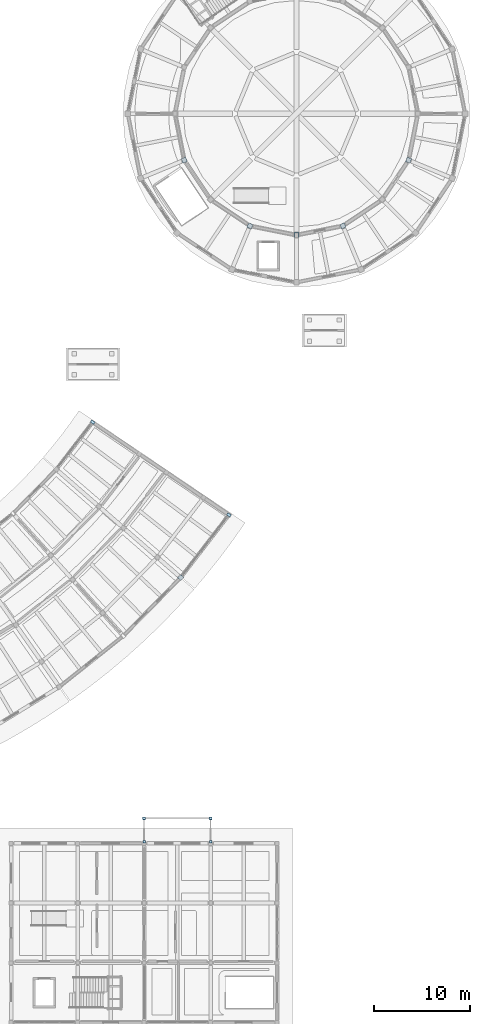
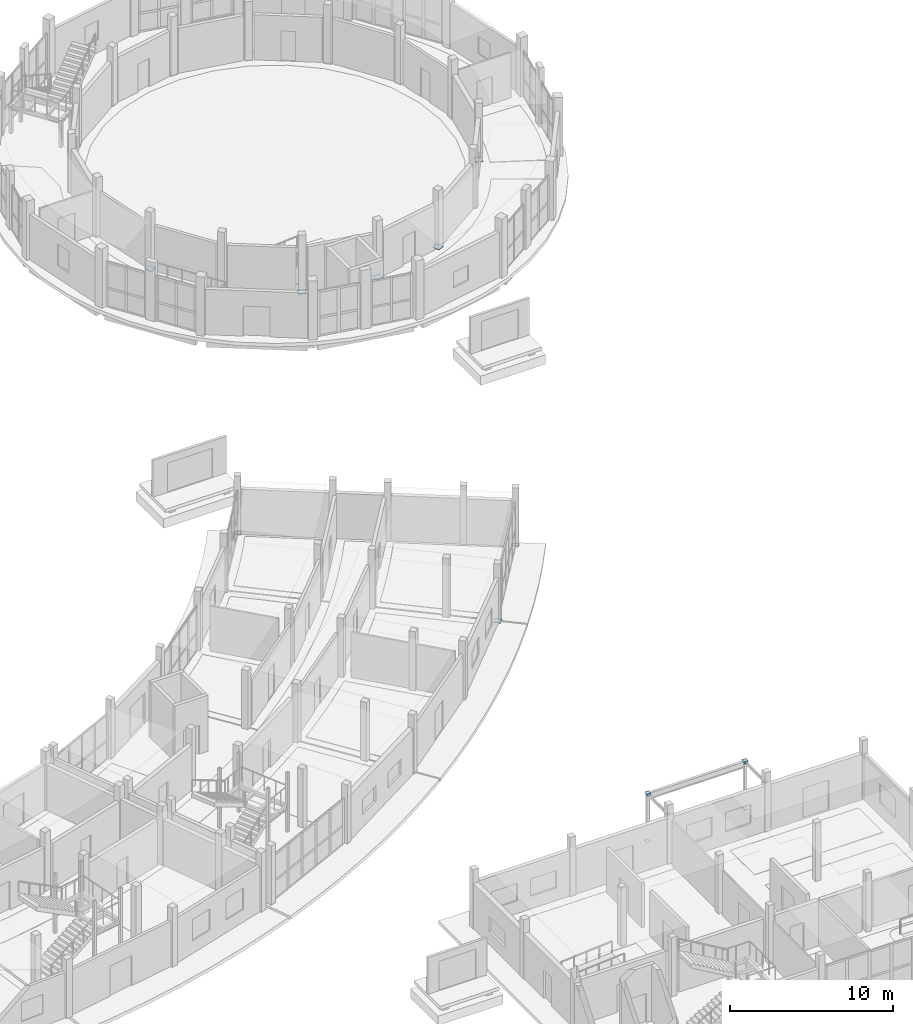
# One storey, part 63 of 92: 16 plates.
"""IFC4 building model written with IfcOpenShell, lengths in metres."""

from ifc_helpers import new_model, si_unit, direction, frame, origin, origin_2d, place, context, subcontext, project, spatial, rectangle, extrude, material, layer, layer_set, type_object, element, save


model = new_model("IFC4")

# Units and contexts
model_context = context("Model", 3, precision=1e-05, world=origin(), true_north=direction((0.0, 1.0)))
body_context = subcontext(model_context, "Body", "Model", "MODEL_VIEW")
ifc_project = project(units=[si_unit("LENGTHUNIT", "METRE"), si_unit("AREAUNIT", "SQUARE_METRE"), si_unit("VOLUMEUNIT", "CUBIC_METRE"), si_unit("PLANEANGLEUNIT", "RADIAN"), si_unit("MASSUNIT", "GRAM", prefix="KILO")], contexts=[model_context])

# Site, building, storey
site_placement = place(None, origin())
site = spatial("IfcSite", under=ifc_project, at=site_placement, CompositionType="ELEMENT")
building_placement = place(site_placement, origin())
building = spatial("IfcBuilding", under=site, at=building_placement, Name="Caldaven Crescent School", CompositionType="ELEMENT")
storey_placement = place(building_placement, origin())
storey = spatial("IfcBuildingStorey", under=building, at=storey_placement, Name="L00", CompositionType="ELEMENT", Elevation=0.0)

# Plates
ifc_material = material(Name="Steel ASTM A572 Grade 50", Category="steel")
ifc_layer_1 = layer(ifc_material, 0.02001953125)
ifc_layer_set_1 = layer_set([ifc_layer_1], Name="Steel ASTM A572 Grade 50")
plate_type_1 = type_object("IfcPlateType", Name="PLT-BAS1", PredefinedType="SHEET", material=ifc_layer_set_1)
plate_1_placement = place(storey_placement, frame((152.5, 85.89990234375, 0.0), z_axis=(0.0, 0.0, 1.0), x_axis=(0.0, -1.0, 0.0)))
element("IfcPlate", 1, at=plate_1_placement, inside=storey, type_object=plate_type_1, Name="PLT-BAS-V1-12", PredefinedType="SHEET", context=body_context, shape_type="SweptSolid", body=[
    extrude(rectangle(XDim=0.52001953125, YDim=0.52001953125, at=origin_2d()), origin(), (0.0, 0.0, 1.0), 0.02001953125),
])
ifc_layer_2 = layer(ifc_material, 0.01806640625)
ifc_layer_set_2 = layer_set([ifc_layer_2], Name="Steel ASTM A572 Grade 50")
plate_type_2 = type_object("IfcPlateType", Name="PLT-BAS2", PredefinedType="SHEET", material=ifc_layer_set_2)
plate_2_placement = place(storey_placement, frame((140.489990234375, 50.37109375, 0.0), z_axis=(0.0, 0.0, 1.0), x_axis=(0.754709580223, -0.656059028991, 0.0)))
element("IfcPlate", 2, at=plate_2_placement, inside=storey, type_object=plate_type_2, Name="PLT-SPL-V4E-04-4", PredefinedType="SHEET", context=body_context, shape_type="SweptSolid", body=[
    extrude(rectangle(XDim=0.43994140625, YDim=0.43994140625, at=origin_2d()), origin(), (0.0, 0.0, 1.0), 0.01806640625),
])
ifc_layer_3 = layer(ifc_material, 0.01806640625)
ifc_layer_set_3 = layer_set([ifc_layer_3], Name="Steel ASTM A572 Grade 50")
plate_type_3 = type_object("IfcPlateType", Name="PLT-BAS3", PredefinedType="SHEET", material=ifc_layer_set_3)
for number, where, z_axis, x_axis, name in (
    (3, (140.859130859375, 93.67822265625, 0.0009765625), (0.0, 0.0, 1.0), (-0.923879532511, -0.382683432365, 0.0), "PLT-BAS-V1-09"),
    (4, (147.67822265625, 86.859130859375, 0.0009765625), (0.0, 0.0, 1.0), (-0.382683432365, -0.923879532511, 0.0), "PLT-BAS-V1-11"),
    (5, (157.32177734375, 86.859130859375, 0.0009765625), (0.0, 0.0, 1.0), (0.382683432365, -0.923879532511, 0.0), "PLT-BAS-V1-13"),
    (6, (164.140869140625, 93.67822265625, 0.0009765625), (0.0, 0.0, 1.0), (0.923879532511, -0.382683432365, 0.0), "PLT-BAS-V1-15"),
):
    element("IfcPlate", number, at=place(storey_placement, frame(where, z_axis=z_axis, x_axis=x_axis)), inside=storey, type_object=plate_type_3, Name=name, PredefinedType="SHEET", context=body_context, shape_type="SweptSolid", body=[
        extrude(rectangle(XDim=0.47998046875, YDim=0.47998046875, at=origin_2d()), origin(), (0.0, 0.0, 1.0), 0.01806640625),
    ])
ifc_layer_4 = layer(ifc_material, 0.02001953125)
ifc_layer_set_4 = layer_set([ifc_layer_4], Name="Steel ASTM A572 Grade 50")
plate_type_4 = type_object("IfcPlateType", Name="PLT-CAP20", PredefinedType="USERDEFINED", material=ifc_layer_set_4)
for number, where, z_axis, x_axis, name in (
    (7, (136.699951171875, 22.97607421875, 3.489990234375), (0.0, 0.0, 1.0), (0.0, 1.0, 0.0), "PLT-CAP-0149-A"),
    (8, (136.699951171875, 25.333984375, 3.489990234375), (0.0, 0.0, 1.0), (0.0, 1.0, 0.0), "PLT-CAP-0150-B"),
    (9, (143.60009765625, 22.97607421875, 3.489990234375), (0.0, 0.0, 1.0), (0.0, 1.0, 0.0), "PLT-CAP-0151-A"),
    (10, (143.60009765625, 25.333984375, 3.489990234375), (0.0, 0.0, 1.0), (0.0, 1.0, 0.0), "PLT-CAP-0152-B"),
):
    element("IfcPlate", number, at=place(storey_placement, frame(where, z_axis=z_axis, x_axis=x_axis)), inside=storey, type_object=plate_type_4, Name=name, ObjectType="CAP_PLATE", PredefinedType="USERDEFINED", context=body_context, shape_type="SweptSolid", body=[
        extrude(rectangle(XDim=0.260009765625, YDim=0.260009765625, at=origin_2d()), origin(), (0.0, 0.0, 1.0), 0.02001953125),
    ])
ifc_layer_5 = layer(ifc_material, 0.02001953125)
ifc_layer_set_5 = layer_set([ifc_layer_5], Name="Steel ASTM A572 Grade 50")
plate_type_5 = type_object("IfcPlateType", Name="PLT-CAP24", PredefinedType="USERDEFINED", material=ifc_layer_set_5)
for number, where, z_axis, x_axis, name in (
    (11, (136.699951171875, 25.39990234375, -0.013916015625), (0.0, 0.0, 1.0), (1.0, 0.0, 0.0), "PLT-CAP-0145-A"),
    (12, (136.699951171875, 25.39990234375, 3.593994140625), (0.0, 0.0, 1.0), (1.0, 0.0, 0.0), "PLT-CAP-0146-B"),
    (13, (143.60009765625, 25.39990234375, -0.013916015625), (0.0, 0.0, 1.0), (1.0, 0.0, 0.0), "PLT-CAP-0147-A"),
    (14, (143.60009765625, 25.39990234375, 3.593994140625), (0.0, 0.0, 1.0), (1.0, 0.0, 0.0), "PLT-CAP-0148-B"),
):
    element("IfcPlate", number, at=place(storey_placement, frame(where, z_axis=z_axis, x_axis=x_axis)), inside=storey, type_object=plate_type_5, Name=name, ObjectType="CAP_PLATE", PredefinedType="USERDEFINED", context=body_context, shape_type="SweptSolid", body=[
        extrude(rectangle(XDim=0.300048828125, YDim=0.300048828125, at=origin_2d()), origin(), (0.0, 0.0, 1.0), 0.02001953125),
    ])
ifc_layer_6 = layer(ifc_material, 0.01611328125)
ifc_layer_set_6 = layer_set([ifc_layer_6], Name="Steel ASTM A572 Grade 50")
plate_type_6 = type_object("IfcPlateType", Name="PLT-SPL2", PredefinedType="SHEET", material=ifc_layer_set_6)
for number, where, z_axis, x_axis, name in (
    (15, (131.362548828125, 66.492431640625, 0.0009765625), (0.0, 0.0, 1.0), (0.826786154745, -0.562516359159, 0.0), "PLT-SPL-V4E-05-0"),
    (16, (145.499755859375, 56.8720703125, 0.0009765625), (0.0, 0.0, 1.0), (0.826786154745, -0.562516359159, 0.0), "PLT-SPL-V4E-05-4"),
):
    element("IfcPlate", number, at=place(storey_placement, frame(where, z_axis=z_axis, x_axis=x_axis)), inside=storey, type_object=plate_type_6, Name=name, PredefinedType="SHEET", context=body_context, shape_type="SweptSolid", body=[
        extrude(rectangle(XDim=0.419921875, YDim=0.280029296875, at=origin_2d()), origin(), (0.0, 0.0, 1.0), 0.01611328125),
    ])

save(model, "model.ifc")
